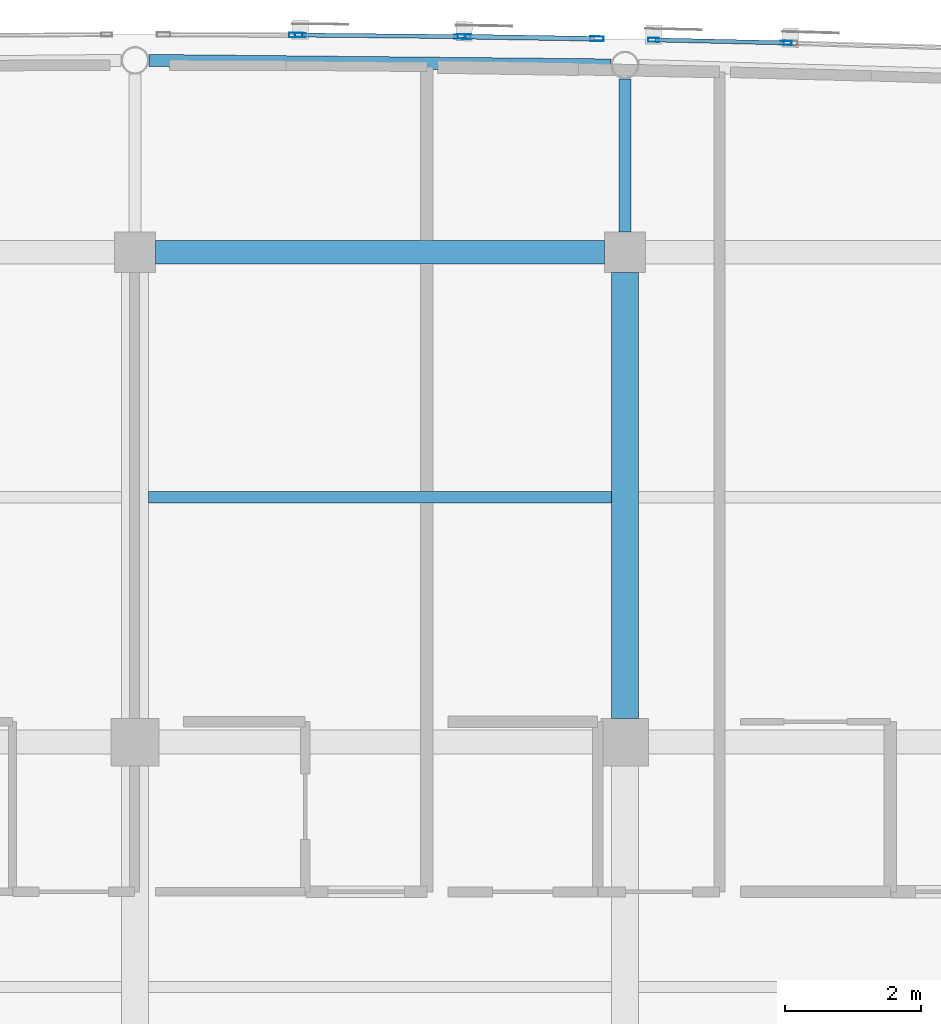
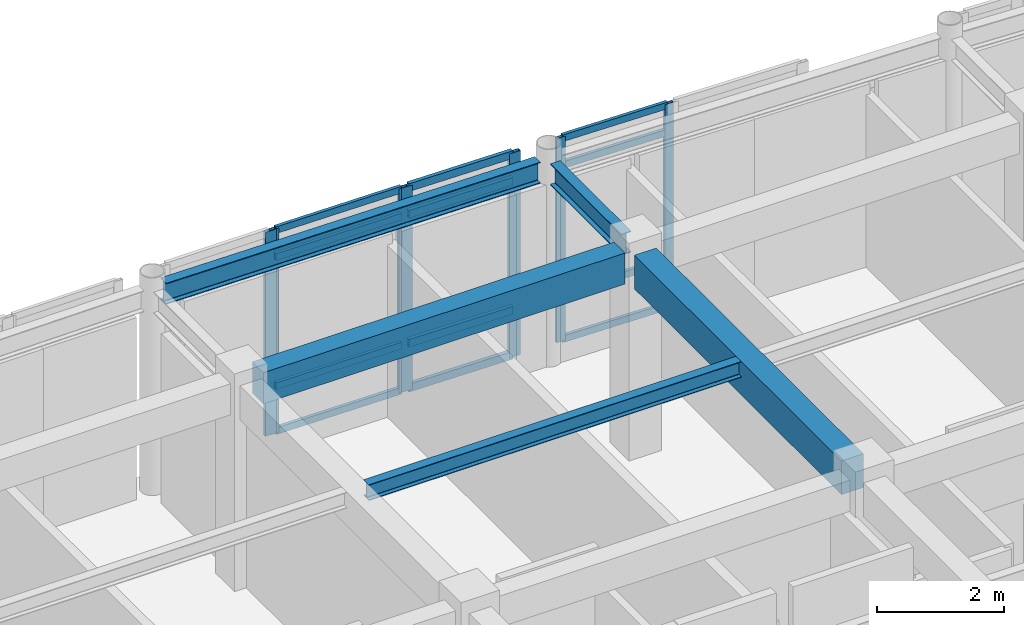
# One storey, part 48 of 113: 19 members, 5 beams, 4 elements without a shape of their own.
"""IFC4 building model written with IfcOpenShell, lengths in metres."""

import ifcopenshell
import ifcopenshell.guid

model = None  # the IFC model being written
_history = None  # IfcOwnerHistory: only IFC2X3 demands one
_inside = {}  # id of a spatial element -> (the spatial element, [elements in it])
_under = {}  # id of a project, library or spatial element -> (it, [spatial elements below it])
_declared = {}  # id of a project -> (the project, [libraries it declares])
_typed = {}  # id of a type object -> (the type object, [elements of that type])
_made_of = {}  # id of a material, layer set ... -> (it, [elements and type objects made of it])


def new_model(schema):
    """Start an empty IFC model of exactly this schema.

    Asked for "IFC4X3", IfcOpenShell would pick the latest addendum, in which some entities
    have other attributes; the version numbers below select the first issue.
    IFC2X3 requires an IfcOwnerHistory on every rooted entity: one is made here for all.
    """
    global model, _history
    if schema == "IFC4X3":
        model = ifcopenshell.file(schema_version=(4, 3, 0, 0))
    else:
        model = ifcopenshell.file(schema=schema)
    _inside.clear()
    _under.clear()
    _declared.clear()
    _typed.clear()
    _made_of.clear()
    _history = None
    if model.schema == "IFC2X3":
        org = make("IfcOrganization", Name="unknown")
        user = make(
            "IfcPersonAndOrganization",
            ThePerson=make("IfcPerson", FamilyName="unknown"),
            TheOrganization=org,
        )
        app = make(
            "IfcApplication",
            ApplicationDeveloper=org,
            Version="unknown",
            ApplicationFullName="unknown",
            ApplicationIdentifier="unknown",
        )
        _history = make(
            "IfcOwnerHistory",
            OwningUser=user,
            OwningApplication=app,
            ChangeAction="ADDED",
            CreationDate=0,
        )
    return model


def make(cls, **values):
    """One entity of the class cls with the attributes given. An attribute that is None is left unset."""
    return model.create_entity(
        cls, **{name: value for name, value in values.items() if value is not None}
    )


def rooted(cls, **values):
    """An entity with a GlobalId (a new one), such as an element, a storey or a relation."""
    return make(cls, GlobalId=ifcopenshell.guid.new(), OwnerHistory=_history, **values)


def si_unit(unit_type, name, prefix=None):
    """IfcSIUnit, for example si_unit("LENGTHUNIT", "METRE", prefix="MILLI")."""
    return make("IfcSIUnit", UnitType=unit_type, Prefix=prefix, Name=name)


def assignment(units):
    """IfcUnitAssignment: the units of a project."""
    return None if units is None else make("IfcUnitAssignment", Units=units)


def point(xyz):
    """IfcCartesianPoint."""
    return None if xyz is None else make("IfcCartesianPoint", Coordinates=xyz)


def direction(xyz):
    """IfcDirection."""
    return None if xyz is None else make("IfcDirection", DirectionRatios=xyz)


def frame(location, z_axis=None, x_axis=None):
    """IfcAxis2Placement3D, a coordinate frame: its origin and axes. An axis left out is left unset."""
    return make(
        "IfcAxis2Placement3D",
        Location=point(location),
        Axis=direction(z_axis),
        RefDirection=direction(x_axis),
    )


def frame_2d(location, x_axis=None):
    """IfcAxis2Placement2D, a coordinate frame in the plane: its origin and x axis."""
    return make(
        "IfcAxis2Placement2D", Location=point(location), RefDirection=direction(x_axis)
    )


def origin():
    """The frame at (0, 0, 0) with its axes left unset."""
    return frame((0.0, 0.0, 0.0))


def origin_2d():
    """The frame at (0, 0) in the plane with its x axis left unset."""
    return frame_2d((0.0, 0.0))


def place(relative_to, where):
    """IfcLocalPlacement: puts the frame where relative to a parent placement (None: the world)."""
    return make(
        "IfcLocalPlacement", PlacementRelTo=relative_to, RelativePlacement=where
    )


def context(
    kind, dimensions, precision=None, world=None, true_north=None, identifier=None
):
    """IfcGeometricRepresentationContext, for example the 3D "Model" context."""
    return make(
        "IfcGeometricRepresentationContext",
        ContextIdentifier=identifier,
        ContextType=kind,
        CoordinateSpaceDimension=dimensions,
        Precision=precision,
        WorldCoordinateSystem=world,
        TrueNorth=true_north,
    )


def subcontext(parent, identifier, kind, view, scale=None):
    """IfcGeometricRepresentationSubContext, for example "Body" below "Model"."""
    return make(
        "IfcGeometricRepresentationSubContext",
        ContextIdentifier=identifier,
        ContextType=kind,
        ParentContext=parent,
        TargetScale=scale,
        TargetView=view,
    )


def project(units=None, contexts=None):
    """IfcProject with its units and contexts."""
    return rooted(
        "IfcProject",
        Name="project",
        RepresentationContexts=contexts,
        UnitsInContext=assignment(units),
    )


def spatial(cls, under=None, at=None, **own):
    """A site, building, storey or space (cls), placed at a placement, below another one or the project."""
    s = rooted(cls, ObjectPlacement=at, **own)
    if under is not None:
        _under.setdefault(under.id(), (under, []))[1].append(s)
    return s


def profile(cls, at=None, kind="AREA", **sizes):
    """A parametric profile (cls). Its sizes go by their IFC names, for example OverallWidth=200.0."""
    return make(cls, ProfileType=kind, Position=at, **sizes)


def rectangle(**sizes):
    """IfcRectangleProfileDef."""
    return profile("IfcRectangleProfileDef", **sizes)


def hollow_rectangle(**sizes):
    """IfcRectangleHollowProfileDef."""
    return profile("IfcRectangleHollowProfileDef", **sizes)


def i_section(**sizes):
    """IfcIShapeProfileDef."""
    return profile("IfcIShapeProfileDef", **sizes)


def extrude(swept, where, along, depth):
    """IfcExtrudedAreaSolid: the profile swept, set in the frame where, extruded along a direction by depth."""
    return make(
        "IfcExtrudedAreaSolid",
        SweptArea=swept,
        Position=where,
        ExtrudedDirection=direction(along),
        Depth=depth,
    )


def shape(context_of_items, identifier, shape_type, items):
    """IfcShapeRepresentation: the items that make up one representation, for example the "Body"."""
    return make(
        "IfcShapeRepresentation",
        ContextOfItems=context_of_items,
        RepresentationIdentifier=identifier,
        RepresentationType=shape_type,
        Items=items,
    )


def material(Name=None, Category=None):
    """IfcMaterial."""
    return make("IfcMaterial", Name=Name, Category=Category)


def layer(
    of_material, thickness, ventilated=None, Name=None, Category=None, Priority=None
):
    """IfcMaterialLayer: one layer of a wall or slab, of a material (None: an air gap)."""
    return make(
        "IfcMaterialLayer",
        Material=of_material,
        LayerThickness=thickness,
        IsVentilated=ventilated,
        Name=Name,
        Category=Category,
        Priority=Priority,
    )


def layer_set(layers, Name=None):
    """IfcMaterialLayerSet."""
    return make("IfcMaterialLayerSet", MaterialLayers=layers, LayerSetName=Name)


def material_profile(
    of_material, cross_section, Name=None, Category=None, Priority=None
):
    """IfcMaterialProfile: a cross section and its material."""
    return make(
        "IfcMaterialProfile",
        Name=Name,
        Material=of_material,
        Profile=cross_section,
        Priority=Priority,
        Category=Category,
    )


def profile_set(profiles, Name=None, composite=None):
    """IfcMaterialProfileSet."""
    return make(
        "IfcMaterialProfileSet",
        Name=Name,
        MaterialProfiles=profiles,
        CompositeProfile=composite,
    )


def made_of(thing, what):
    """Note that an element or type object is made of a material, layer set ...; save() writes the relation."""
    if what is not None:
        _made_of.setdefault(what.id(), (what, []))[1].append(thing)
    return thing


def type_object(cls, material=None, **own):
    """A type object (cls), such as IfcWallType, which elements share."""
    return made_of(rooted(cls, **own), material)


def element(
    cls,
    number,
    at=None,
    inside=None,
    cuts=None,
    type_object=None,
    material=None,
    context=None,
    identifier="Body",
    shape_type=None,
    held_by="IfcProductDefinitionShape",
    body=None,
    shapes=None,
    **own,
):
    """One element of the class cls, such as IfcWall. Its Tag is "e" and its number.

    at: its placement. inside: the storey or other place that contains it. cuts: it is an
    opening in that element (IfcRelVoidsElement). A single representation is given by context,
    identifier, shape_type and body (its items); several are given by shapes. held_by: the class
    of the entity that holds the representations. save() writes the other relations.
    """
    e = rooted(cls, Tag="e%d" % number, ObjectPlacement=at, **own)
    if body is not None:
        shapes = [shape(context, identifier, shape_type, body)]
    if shapes is not None:
        e.Representation = make(held_by, Representations=shapes)
    if inside is not None:
        _inside.setdefault(inside.id(), (inside, []))[1].append(e)
    if cuts is not None:
        rooted(
            "IfcRelVoidsElement", RelatingBuildingElement=cuts, RelatedOpeningElement=e
        )
    if type_object is not None:
        _typed.setdefault(type_object.id(), (type_object, []))[1].append(e)
    return made_of(e, material)


def aggregate(whole, parts):
    """IfcRelAggregates: a whole, such as a stair, and the parts it consists of."""
    return rooted("IfcRelAggregates", RelatingObject=whole, RelatedObjects=parts)


def save(model, path):
    """Write the relations noted so far, then the file.

    IfcRelAggregates (storeys below a building ...), IfcRelContainedInSpatialStructure (elements
    in a storey), IfcRelDefinesByType, IfcRelAssociatesMaterial and IfcRelDeclares: one each for
    every whole, place, type object, material and project.
    """
    for whole, parts in _under.values():
        aggregate(whole, parts)
    for where, things in _inside.values():
        rooted(
            "IfcRelContainedInSpatialStructure",
            RelatedElements=things,
            RelatingStructure=where,
        )
    for kind, things in _typed.values():
        rooted("IfcRelDefinesByType", RelatedObjects=things, RelatingType=kind)
    for what, things in _made_of.values():
        rooted("IfcRelAssociatesMaterial", RelatedObjects=things, RelatingMaterial=what)
    for by, libraries in _declared.values():
        rooted("IfcRelDeclares", RelatingContext=by, RelatedDefinitions=libraries)
    model.write(path)


model = new_model("IFC4")

# Units and contexts
model_context = context("Model", 3, precision=1e-05, world=origin(), true_north=direction((0.0, 1.0)))
body_context = subcontext(model_context, "Body", "Model", "MODEL_VIEW")
ifc_project = project(units=[si_unit("LENGTHUNIT", "METRE"), si_unit("AREAUNIT", "SQUARE_METRE"), si_unit("VOLUMEUNIT", "CUBIC_METRE"), si_unit("PLANEANGLEUNIT", "RADIAN"), si_unit("MASSUNIT", "GRAM", prefix="KILO")], contexts=[model_context])

# Site, building, storey
site_placement = place(None, origin())
site = spatial("IfcSite", under=ifc_project, at=site_placement, CompositionType="ELEMENT")
building_placement = place(site_placement, origin())
building = spatial("IfcBuilding", under=site, at=building_placement, Name="Carrowvane Square Congress Hotel", CompositionType="ELEMENT")
storey_placement = place(building_placement, frame((0.0, 0.0, 15.0)))
storey = spatial("IfcBuildingStorey", under=building, at=storey_placement, Name="L03", CompositionType="ELEMENT", Elevation=15.0)

# Beams
ifc_material_1 = material(Name="Concrete C35/45", Category="concrete")
ifc_material_profile_1 = material_profile(ifc_material_1, rectangle(XDim=0.35009765625, YDim=0.60009765625, at=origin_2d()), Name="RC 350x600")
ifc_profile_set_1 = profile_set([ifc_material_profile_1], Name="Concrete C35/45")
beam_type_1 = type_object("IfcBeamType", Name="BM-RC-350x600", PredefinedType="BEAM", material=ifc_profile_set_1)
beam_1_placement = place(storey_placement, frame((98.300048828125, 113.39990234375, 3.639892578125), z_axis=(1.0, 0.0, 0.0), x_axis=(0.0, 1.0, 0.0)))
element("IfcBeam", 1, at=beam_1_placement, inside=storey, type_object=beam_type_1, Name="L04 girder R/13-14", PredefinedType="BEAM", context=body_context, shape_type="SweptSolid", body=[
    extrude(rectangle(XDim=0.35009765625, YDim=0.60009765625, at=origin_2d()), origin(), (0.0, 0.0, 1.0), 6.599853515625),
])
ifc_material_2 = material(Name="Concrete C35/45", Category="concrete")
ifc_material_profile_2 = material_profile(ifc_material_2, rectangle(XDim=0.39990234375, YDim=0.64990234375, at=origin_2d()), Name="RC 400x650")
ifc_profile_set_2 = profile_set([ifc_material_profile_2], Name="Concrete C35/45")
beam_type_2 = type_object("IfcBeamType", Name="BM-RC-400x650", PredefinedType="BEAM", material=ifc_profile_set_2)
beam_2_placement = place(storey_placement, frame((105.199951171875, 106.550048828125, 3.614990234375), z_axis=(0.0, 1.0, 0.0), x_axis=(-1.0, 0.0, 0.0)))
element("IfcBeam", 2, at=beam_2_placement, inside=storey, type_object=beam_type_2, Name="L04 girder 14/Q-R", PredefinedType="BEAM", context=body_context, shape_type="SweptSolid", body=[
    extrude(rectangle(XDim=0.39990234375, YDim=0.64990234375, at=origin_2d()), origin(), (0.0, 0.0, 1.0), 6.550048828125),
])
ifc_material_3 = material(Name="Steel S355", Category="steel")
ifc_material_profile_3 = material_profile(ifc_material_3, i_section(OverallWidth=0.165771484375, OverallDepth=0.306640625, WebThickness=0.006591796875, FlangeThickness=0.01171875, FilletRadius=0.0087890625, at=origin_2d()), Name="UKB 305x165x46")
ifc_profile_set_3 = profile_set([ifc_material_profile_3], Name="Steel S355")
beam_type_3 = type_object("IfcBeamType", Name="BM-ST-UKB305", PredefinedType="JOIST", material=ifc_profile_set_3)
beam_3_placement = place(storey_placement, frame((98.199951171875, 109.800048828125, 3.78662109375), z_axis=(1.0, 0.0, 0.0), x_axis=(0.0, 1.0, 0.0)))
element("IfcBeam", 3, at=beam_3_placement, inside=storey, type_object=beam_type_3, Name="L04 secondary joist 13-14", PredefinedType="JOIST", context=body_context, shape_type="SweptSolid", body=[
    extrude(i_section(OverallWidth=0.165771484375, OverallDepth=0.306640625, WebThickness=0.006591796875, FlangeThickness=0.01171875, FilletRadius=0.0087890625, at=origin_2d()), origin(), (0.0, 0.0, 1.0), 6.800048828125),
])
ifc_material_4 = material(Name="Steel S355", Category="steel")
ifc_material_profile_4 = material_profile(ifc_material_4, i_section(OverallWidth=0.1787109375, OverallDepth=0.409423828125, WebThickness=0.0087890625, FlangeThickness=0.014404296875, FilletRadius=0.01025390625, at=origin_2d()), Name="UKB 406x178x67")
ifc_profile_set_4 = profile_set([ifc_material_profile_4], Name="Steel S355")
beam_type_4 = type_object("IfcBeamType", Name="BM-ST-UKB406", PredefinedType="BEAM", material=ifc_profile_set_4)
beam_4_placement = place(storey_placement, frame((98.203125, 116.218017578125, 3.7353515625), z_axis=(0.999952581816, -0.009738281154, 0.0), x_axis=(0.009738281154, 0.999952581816, 0.0)))
element("IfcBeam", 4, at=beam_4_placement, inside=storey, type_object=beam_type_4, Name="L04 curved north spandrel", PredefinedType="BEAM", context=body_context, shape_type="SweptSolid", body=[
    extrude(i_section(OverallWidth=0.1787109375, OverallDepth=0.409423828125, WebThickness=0.0087890625, FlangeThickness=0.014404296875, FilletRadius=0.01025390625, at=origin_2d()), origin(), (0.0, 0.0, 1.0), 6.7939453125),
])
beam_5_placement = place(storey_placement, frame((105.199951171875, 113.699951171875, 3.7353515625), z_axis=(0.0, 1.0, 0.0), x_axis=(-1.0, 0.0, 0.0)))
element("IfcBeam", 5, at=beam_5_placement, inside=storey, type_object=beam_type_4, Name="L04 radial north beam 14", PredefinedType="BEAM", context=body_context, shape_type="SweptSolid", body=[
    extrude(i_section(OverallWidth=0.1787109375, OverallDepth=0.409423828125, WebThickness=0.0087890625, FlangeThickness=0.014404296875, FilletRadius=0.01025390625, at=origin_2d()), origin(), (0.0, 0.0, 1.0), 2.24658203125),
])

# Curtain wall, members
ifc_material_5 = material(Name="Anodised aluminium", Category="aluminium")
ifc_layer_1 = layer(ifc_material_5, 0.18603515625)
ifc_layer_set_1 = layer_set([ifc_layer_1], Name="Anodised aluminium")
curtain_wall_type_1 = type_object("IfcCurtainWallType", Name="CW-SYS-3", PredefinedType="NOTDEFINED", material=ifc_layer_set_1)
curtain_wall_1_placement = place(storey_placement, origin())
curtain_wall_1 = element("IfcCurtainWall", 6, at=curtain_wall_1_placement, inside=storey, type_object=curtain_wall_type_1, Name="L03 unitised curtain wall 218", PredefinedType="NOTDEFINED")
ifc_material_6 = material(Name="Anodised aluminium", Category="aluminium")
ifc_material_profile_5 = material_profile(ifc_material_6, hollow_rectangle(XDim=0.06005859375, YDim=0.159912109375, WallThickness=0.00390625, at=origin_2d()), Name="CW-ML 60x160x4")
ifc_profile_set_5 = profile_set([ifc_material_profile_5], Name="Anodised aluminium")
member_type_1 = type_object("IfcMemberType", Name="CW-MUL-1", PredefinedType="MULLION", material=ifc_profile_set_5)
member_1_placement = place(storey_placement, frame((100.429931640625, 116.591796875, 0.0), z_axis=(0.0, 0.0, 1.0), x_axis=(0.009782905924, 0.999952146231, 0.0)))
member_1 = element("IfcMember", 7, at=member_1_placement, type_object=member_type_1, Name="CW-3 mullion 1", PredefinedType="MULLION", context=body_context, shape_type="SweptSolid", body=[
    extrude(hollow_rectangle(XDim=0.06005859375, YDim=0.159912109375, WallThickness=0.00390625, at=origin_2d()), origin(), (0.0, 0.0, 1.0), 3.93994140625),
])
member_2_placement = place(storey_placement, frame((102.77001953125, 116.56884765625, 0.0), z_axis=(0.0, 0.0, 1.0), x_axis=(0.009782905924, 0.999952146231, 0.0)))
member_2 = element("IfcMember", 8, at=member_2_placement, type_object=member_type_1, Name="CW-3 mullion 2", PredefinedType="MULLION", context=body_context, shape_type="SweptSolid", body=[
    extrude(hollow_rectangle(XDim=0.06005859375, YDim=0.159912109375, WallThickness=0.00390625, at=origin_2d()), origin(), (0.0, 0.0, 1.0), 3.93994140625),
])

ifc_material_7 = material(Name="Anodised aluminium", Category="aluminium")
ifc_layer_2 = layer(ifc_material_7, 0.2099609375)
ifc_layer_set_2 = layer_set([ifc_layer_2], Name="Anodised aluminium")
curtain_wall_type_2 = type_object("IfcCurtainWallType", Name="CW-SYS-5", PredefinedType="NOTDEFINED", material=ifc_layer_set_2)
curtain_wall_2_placement = place(storey_placement, origin())
curtain_wall_2 = element("IfcCurtainWall", 9, at=curtain_wall_2_placement, inside=storey, type_object=curtain_wall_type_2, Name="L03 unitised curtain wall 220", PredefinedType="NOTDEFINED")
member_3_placement = place(storey_placement, frame((105.622314453125, 116.520263671875, 0.0), z_axis=(0.0, 0.0, 1.0), x_axis=(0.022517686606, 0.99974644475, 0.0)))
member_3 = element("IfcMember", 10, at=member_3_placement, type_object=member_type_1, Name="CW-5 mullion 1", PredefinedType="MULLION", context=body_context, shape_type="SweptSolid", body=[
    extrude(hollow_rectangle(XDim=0.06005859375, YDim=0.159912109375, WallThickness=0.00390625, at=origin_2d()), origin(), (0.0, 0.0, 1.0), 3.93994140625),
])
member_4_placement = place(storey_placement, frame((107.570068359375, 116.476318359375, 0.0), z_axis=(0.0, 0.0, 1.0), x_axis=(0.022517686606, 0.99974644475, 0.0)))
member_4 = element("IfcMember", 11, at=member_4_placement, type_object=member_type_1, Name="CW-5 mullion 2", PredefinedType="MULLION", context=body_context, shape_type="SweptSolid", body=[
    extrude(hollow_rectangle(XDim=0.06005859375, YDim=0.159912109375, WallThickness=0.00390625, at=origin_2d()), origin(), (0.0, 0.0, 1.0), 3.93994140625),
])

# Curtain wall, member
ifc_material_8 = material(Name="Anodised aluminium", Category="aluminium")
ifc_layer_3 = layer(ifc_material_8, 0.174072265625)
ifc_layer_set_3 = layer_set([ifc_layer_3], Name="Anodised aluminium")
curtain_wall_type_3 = type_object("IfcCurtainWallType", Name="CW-SYS-2", PredefinedType="NOTDEFINED", material=ifc_layer_set_3)
curtain_wall_3_placement = place(storey_placement, origin())
curtain_wall_3 = element("IfcCurtainWall", 12, at=curtain_wall_3_placement, inside=storey, type_object=curtain_wall_type_3, Name="L03 unitised curtain wall 217", PredefinedType="NOTDEFINED")
ifc_material_9 = material(Name="Anodised aluminium", Category="aluminium")
ifc_material_profile_6 = material_profile(ifc_material_9, hollow_rectangle(XDim=0.070068359375, YDim=0.199951171875, WallThickness=0.0048828125, at=origin_2d()), Name="CW-ML 70x200x5")
ifc_profile_set_6 = profile_set([ifc_material_profile_6], Name="Anodised aluminium")
member_type_2 = type_object("IfcMemberType", Name="CW-MUL-2", PredefinedType="MULLION", material=ifc_profile_set_6)
member_5_placement = place(storey_placement, frame((100.364990234375, 116.59228515625, 0.0), z_axis=(0.0, 0.0, 1.0), x_axis=(0.003270307911, 0.999994652529, 0.0)))
member_5 = element("IfcMember", 13, at=member_5_placement, type_object=member_type_2, Name="CW-2 mullion 2", PredefinedType="MULLION", context=body_context, shape_type="SweptSolid", body=[
    extrude(hollow_rectangle(XDim=0.070068359375, YDim=0.199951171875, WallThickness=0.0048828125, at=origin_2d()), origin(), (0.0, 0.0, 1.0), 3.93994140625),
])
aggregate(curtain_wall_3, [member_5])

# Curtain wall, members
ifc_material_10 = material(Name="Anodised aluminium", Category="aluminium")
ifc_layer_4 = layer(ifc_material_10, 0.197998046875)
ifc_layer_set_4 = layer_set([ifc_layer_4], Name="Anodised aluminium")
curtain_wall_type_4 = type_object("IfcCurtainWallType", Name="CW-SYS-4", PredefinedType="NOTDEFINED", material=ifc_layer_set_4)
curtain_wall_4_placement = place(storey_placement, origin())
curtain_wall_4 = element("IfcCurtainWall", 14, at=curtain_wall_4_placement, inside=storey, type_object=curtain_wall_type_4, Name="L03 unitised curtain wall 219", PredefinedType="NOTDEFINED")
member_6_placement = place(storey_placement, frame((102.8349609375, 116.568115234375, 0.0), z_axis=(0.0, 0.0, 1.0), x_axis=(0.016215981364, 0.99986851233, 0.0)))
member_6 = element("IfcMember", 15, at=member_6_placement, type_object=member_type_2, Name="CW-4 mullion 1", PredefinedType="MULLION", context=body_context, shape_type="SweptSolid", body=[
    extrude(hollow_rectangle(XDim=0.070068359375, YDim=0.199951171875, WallThickness=0.0048828125, at=origin_2d()), origin(), (0.0, 0.0, 1.0), 3.93994140625),
])
member_7_placement = place(storey_placement, frame((104.787353515625, 116.536376953125, 0.0), z_axis=(0.0, 0.0, 1.0), x_axis=(0.016215981364, 0.99986851233, 0.0)))
member_7 = element("IfcMember", 16, at=member_7_placement, type_object=member_type_2, Name="CW-4 mullion 2", PredefinedType="MULLION", context=body_context, shape_type="SweptSolid", body=[
    extrude(hollow_rectangle(XDim=0.070068359375, YDim=0.199951171875, WallThickness=0.0048828125, at=origin_2d()), origin(), (0.0, 0.0, 1.0), 3.93994140625),
])

# Member
ifc_material_11 = material(Name="Anodised aluminium", Category="aluminium")
ifc_material_profile_7 = material_profile(ifc_material_11, hollow_rectangle(XDim=0.06005859375, YDim=0.1298828125, WallThickness=0.00390625, at=origin_2d()), Name="CW-TR 60x130x4")
ifc_profile_set_7 = profile_set([ifc_material_profile_7], Name="Anodised aluminium")
member_type_3 = type_object("IfcMemberType", Name="CW-TRN-1", PredefinedType="USERDEFINED", material=ifc_profile_set_7)
member_8_placement = place(storey_placement, frame((100.4599609375, 116.591552734375, 0.030029296875), z_axis=(0.999952529794, -0.009743621395, 0.0), x_axis=(0.009743621395, 0.999952529794, 0.0)))
member_8 = element("IfcMember", 17, at=member_8_placement, type_object=member_type_3, Name="CW-3 transom 1.1", ObjectType="TRANSOM", PredefinedType="USERDEFINED", context=body_context, shape_type="SweptSolid", body=[
    extrude(hollow_rectangle(XDim=0.06005859375, YDim=0.1298828125, WallThickness=0.00390625, at=origin_2d()), origin(), (0.0, 0.0, 1.0), 2.280029296875),
])

member_9_placement = place(storey_placement, frame((100.4599609375, 116.591552734375, 0.89990234375), z_axis=(0.999952529794, -0.009743621395, 0.0), x_axis=(0.009743621395, 0.999952529794, 0.0)))
member_9 = element("IfcMember", 18, at=member_9_placement, type_object=member_type_3, Name="CW-3 transom 1.2", ObjectType="TRANSOM", PredefinedType="USERDEFINED", context=body_context, shape_type="SweptSolid", body=[
    extrude(hollow_rectangle(XDim=0.06005859375, YDim=0.1298828125, WallThickness=0.00390625, at=origin_2d()), origin(), (0.0, 0.0, 1.0), 2.280029296875),
])

member_10_placement = place(storey_placement, frame((100.4599609375, 116.591552734375, 3.389892578125), z_axis=(0.999952529794, -0.009743621395, 0.0), x_axis=(0.009743621395, 0.999952529794, 0.0)))
member_10 = element("IfcMember", 19, at=member_10_placement, type_object=member_type_3, Name="CW-3 transom 1.3", ObjectType="TRANSOM", PredefinedType="USERDEFINED", context=body_context, shape_type="SweptSolid", body=[
    extrude(hollow_rectangle(XDim=0.06005859375, YDim=0.1298828125, WallThickness=0.00390625, at=origin_2d()), origin(), (0.0, 0.0, 1.0), 2.280029296875),
])

member_11_placement = place(storey_placement, frame((100.4599609375, 116.591552734375, 3.909912109375), z_axis=(0.999952529794, -0.009743621395, 0.0), x_axis=(0.009743621395, 0.999952529794, 0.0)))
member_11 = element("IfcMember", 20, at=member_11_placement, type_object=member_type_3, Name="CW-3 transom 1.4", ObjectType="TRANSOM", PredefinedType="USERDEFINED", context=body_context, shape_type="SweptSolid", body=[
    extrude(hollow_rectangle(XDim=0.06005859375, YDim=0.1298828125, WallThickness=0.00390625, at=origin_2d()), origin(), (0.0, 0.0, 1.0), 2.280029296875),
])

aggregate(curtain_wall_1, [member_1, member_2, member_8, member_9, member_10, member_11])

member_12_placement = place(storey_placement, frame((105.65234375, 116.51953125, 0.030029296875), z_axis=(0.999746883827, -0.022498183883, 0.0), x_axis=(0.022498183883, 0.999746883827, 0.0)))
member_12 = element("IfcMember", 21, at=member_12_placement, type_object=member_type_3, Name="CW-5 transom 1.1", ObjectType="TRANSOM", PredefinedType="USERDEFINED", context=body_context, shape_type="SweptSolid", body=[
    extrude(hollow_rectangle(XDim=0.06005859375, YDim=0.1298828125, WallThickness=0.00390625, at=origin_2d()), origin(), (0.0, 0.0, 1.0), 1.88818359375),
])

member_13_placement = place(storey_placement, frame((105.65234375, 116.51953125, 0.89990234375), z_axis=(0.999746883827, -0.022498183883, 0.0), x_axis=(0.022498183883, 0.999746883827, 0.0)))
member_13 = element("IfcMember", 22, at=member_13_placement, type_object=member_type_3, Name="CW-5 transom 1.2", ObjectType="TRANSOM", PredefinedType="USERDEFINED", context=body_context, shape_type="SweptSolid", body=[
    extrude(hollow_rectangle(XDim=0.06005859375, YDim=0.1298828125, WallThickness=0.00390625, at=origin_2d()), origin(), (0.0, 0.0, 1.0), 1.88818359375),
])

member_14_placement = place(storey_placement, frame((105.65234375, 116.51953125, 3.389892578125), z_axis=(0.999746883827, -0.022498183883, 0.0), x_axis=(0.022498183883, 0.999746883827, 0.0)))
member_14 = element("IfcMember", 23, at=member_14_placement, type_object=member_type_3, Name="CW-5 transom 1.3", ObjectType="TRANSOM", PredefinedType="USERDEFINED", context=body_context, shape_type="SweptSolid", body=[
    extrude(hollow_rectangle(XDim=0.06005859375, YDim=0.1298828125, WallThickness=0.00390625, at=origin_2d()), origin(), (0.0, 0.0, 1.0), 1.88818359375),
])

member_15_placement = place(storey_placement, frame((105.65234375, 116.51953125, 3.909912109375), z_axis=(0.999746883827, -0.022498183883, 0.0), x_axis=(0.022498183883, 0.999746883827, 0.0)))
member_15 = element("IfcMember", 24, at=member_15_placement, type_object=member_type_3, Name="CW-5 transom 1.4", ObjectType="TRANSOM", PredefinedType="USERDEFINED", context=body_context, shape_type="SweptSolid", body=[
    extrude(hollow_rectangle(XDim=0.06005859375, YDim=0.1298828125, WallThickness=0.00390625, at=origin_2d()), origin(), (0.0, 0.0, 1.0), 1.88818359375),
])

aggregate(curtain_wall_2, [member_3, member_4, member_12, member_13, member_14, member_15])

ifc_material_12 = material(Name="Anodised aluminium", Category="aluminium")
ifc_material_profile_8 = material_profile(ifc_material_12, hollow_rectangle(XDim=0.070068359375, YDim=0.14990234375, WallThickness=0.0048828125, at=origin_2d()), Name="CW-TR 70x150x5")
ifc_profile_set_8 = profile_set([ifc_material_profile_8], Name="Anodised aluminium")
member_type_4 = type_object("IfcMemberType", Name="CW-TRN-2", PredefinedType="USERDEFINED", material=ifc_profile_set_8)
member_16_placement = place(storey_placement, frame((102.869873046875, 116.567626953125, 0.034912109375), z_axis=(0.999868633981, -0.016208478699, 0.0), x_axis=(0.016208478699, 0.999868633981, 0.0)))
member_16 = element("IfcMember", 25, at=member_16_placement, type_object=member_type_4, Name="CW-4 transom 1.1", ObjectType="TRANSOM", PredefinedType="USERDEFINED", context=body_context, shape_type="SweptSolid", body=[
    extrude(hollow_rectangle(XDim=0.070068359375, YDim=0.14990234375, WallThickness=0.0048828125, at=origin_2d()), origin(), (0.0, 0.0, 1.0), 1.8828125),
])

member_17_placement = place(storey_placement, frame((102.869873046875, 116.567626953125, 0.89990234375), z_axis=(0.999868633981, -0.016208478699, 0.0), x_axis=(0.016208478699, 0.999868633981, 0.0)))
member_17 = element("IfcMember", 26, at=member_17_placement, type_object=member_type_4, Name="CW-4 transom 1.2", ObjectType="TRANSOM", PredefinedType="USERDEFINED", context=body_context, shape_type="SweptSolid", body=[
    extrude(hollow_rectangle(XDim=0.070068359375, YDim=0.14990234375, WallThickness=0.0048828125, at=origin_2d()), origin(), (0.0, 0.0, 1.0), 1.8828125),
])

member_18_placement = place(storey_placement, frame((102.869873046875, 116.567626953125, 3.389892578125), z_axis=(0.999868633981, -0.016208478699, 0.0), x_axis=(0.016208478699, 0.999868633981, 0.0)))
member_18 = element("IfcMember", 27, at=member_18_placement, type_object=member_type_4, Name="CW-4 transom 1.3", ObjectType="TRANSOM", PredefinedType="USERDEFINED", context=body_context, shape_type="SweptSolid", body=[
    extrude(hollow_rectangle(XDim=0.070068359375, YDim=0.14990234375, WallThickness=0.0048828125, at=origin_2d()), origin(), (0.0, 0.0, 1.0), 1.8828125),
])

member_19_placement = place(storey_placement, frame((102.869873046875, 116.567626953125, 3.905029296875), z_axis=(0.999868633981, -0.016208478699, 0.0), x_axis=(0.016208478699, 0.999868633981, 0.0)))
member_19 = element("IfcMember", 28, at=member_19_placement, type_object=member_type_4, Name="CW-4 transom 1.4", ObjectType="TRANSOM", PredefinedType="USERDEFINED", context=body_context, shape_type="SweptSolid", body=[
    extrude(hollow_rectangle(XDim=0.070068359375, YDim=0.14990234375, WallThickness=0.0048828125, at=origin_2d()), origin(), (0.0, 0.0, 1.0), 1.8828125),
])

aggregate(curtain_wall_4, [member_6, member_7, member_16, member_17, member_18, member_19])

save(model, "model.ifc")
